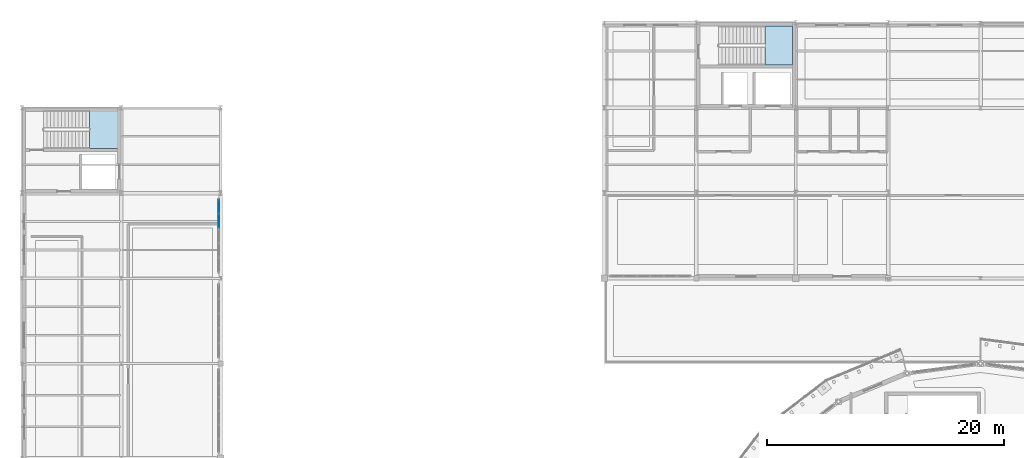
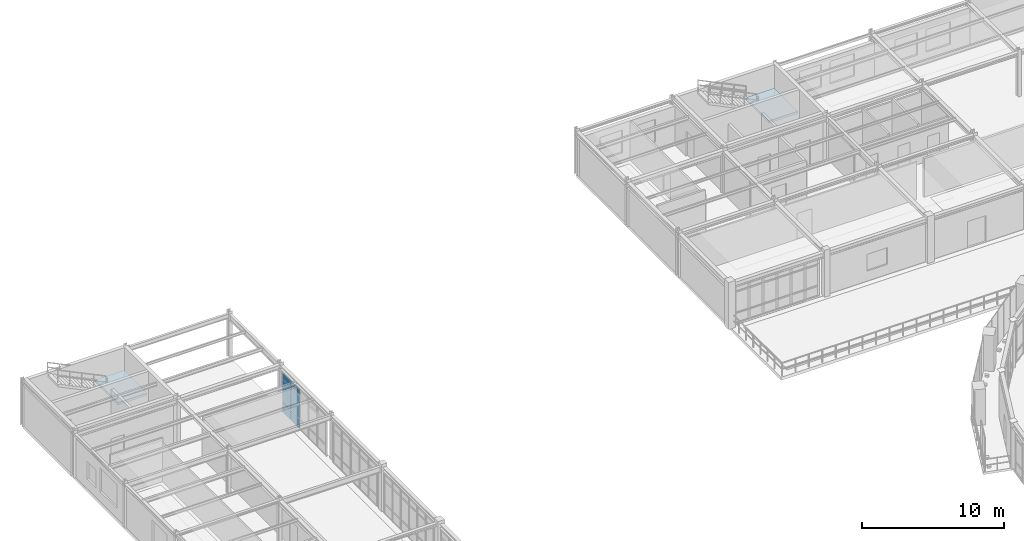
# One storey, part 40 of 58: 6 plates, 2 slabs, 3 elements without a shape of their own.
"""IFC4 building model written with IfcOpenShell, lengths in metres."""

import ifcopenshell
import ifcopenshell.guid

model = None  # the IFC model being written
_history = None  # IfcOwnerHistory: only IFC2X3 demands one
_inside = {}  # id of a spatial element -> (the spatial element, [elements in it])
_under = {}  # id of a project, library or spatial element -> (it, [spatial elements below it])
_declared = {}  # id of a project -> (the project, [libraries it declares])
_typed = {}  # id of a type object -> (the type object, [elements of that type])
_made_of = {}  # id of a material, layer set ... -> (it, [elements and type objects made of it])


def new_model(schema):
    """Start an empty IFC model of exactly this schema.

    Asked for "IFC4X3", IfcOpenShell would pick the latest addendum, in which some entities
    have other attributes; the version numbers below select the first issue.
    IFC2X3 requires an IfcOwnerHistory on every rooted entity: one is made here for all.
    """
    global model, _history
    if schema == "IFC4X3":
        model = ifcopenshell.file(schema_version=(4, 3, 0, 0))
    else:
        model = ifcopenshell.file(schema=schema)
    _inside.clear()
    _under.clear()
    _declared.clear()
    _typed.clear()
    _made_of.clear()
    _history = None
    if model.schema == "IFC2X3":
        org = make("IfcOrganization", Name="unknown")
        user = make(
            "IfcPersonAndOrganization",
            ThePerson=make("IfcPerson", FamilyName="unknown"),
            TheOrganization=org,
        )
        app = make(
            "IfcApplication",
            ApplicationDeveloper=org,
            Version="unknown",
            ApplicationFullName="unknown",
            ApplicationIdentifier="unknown",
        )
        _history = make(
            "IfcOwnerHistory",
            OwningUser=user,
            OwningApplication=app,
            ChangeAction="ADDED",
            CreationDate=0,
        )
    return model


def make(cls, **values):
    """One entity of the class cls with the attributes given. An attribute that is None is left unset."""
    return model.create_entity(
        cls, **{name: value for name, value in values.items() if value is not None}
    )


def rooted(cls, **values):
    """An entity with a GlobalId (a new one), such as an element, a storey or a relation."""
    return make(cls, GlobalId=ifcopenshell.guid.new(), OwnerHistory=_history, **values)


def si_unit(unit_type, name, prefix=None):
    """IfcSIUnit, for example si_unit("LENGTHUNIT", "METRE", prefix="MILLI")."""
    return make("IfcSIUnit", UnitType=unit_type, Prefix=prefix, Name=name)


def derived_unit(unit_type, elements):
    """IfcDerivedUnit: a product of units, each with its exponent."""
    return make(
        "IfcDerivedUnit",
        Elements=[
            make("IfcDerivedUnitElement", Unit=unit, Exponent=power)
            for unit, power in elements
        ],
        UnitType=unit_type,
    )


def assignment(units):
    """IfcUnitAssignment: the units of a project."""
    return None if units is None else make("IfcUnitAssignment", Units=units)


def point(xyz):
    """IfcCartesianPoint."""
    return None if xyz is None else make("IfcCartesianPoint", Coordinates=xyz)


def direction(xyz):
    """IfcDirection."""
    return None if xyz is None else make("IfcDirection", DirectionRatios=xyz)


def frame(location, z_axis=None, x_axis=None):
    """IfcAxis2Placement3D, a coordinate frame: its origin and axes. An axis left out is left unset."""
    return make(
        "IfcAxis2Placement3D",
        Location=point(location),
        Axis=direction(z_axis),
        RefDirection=direction(x_axis),
    )


def frame_2d(location, x_axis=None):
    """IfcAxis2Placement2D, a coordinate frame in the plane: its origin and x axis."""
    return make(
        "IfcAxis2Placement2D", Location=point(location), RefDirection=direction(x_axis)
    )


def origin():
    """The frame at (0, 0, 0) with its axes left unset."""
    return frame((0.0, 0.0, 0.0))


def origin_2d():
    """The frame at (0, 0) in the plane with its x axis left unset."""
    return frame_2d((0.0, 0.0))


def place(relative_to, where):
    """IfcLocalPlacement: puts the frame where relative to a parent placement (None: the world)."""
    return make(
        "IfcLocalPlacement", PlacementRelTo=relative_to, RelativePlacement=where
    )


def context(
    kind, dimensions, precision=None, world=None, true_north=None, identifier=None
):
    """IfcGeometricRepresentationContext, for example the 3D "Model" context."""
    return make(
        "IfcGeometricRepresentationContext",
        ContextIdentifier=identifier,
        ContextType=kind,
        CoordinateSpaceDimension=dimensions,
        Precision=precision,
        WorldCoordinateSystem=world,
        TrueNorth=true_north,
    )


def subcontext(parent, identifier, kind, view, scale=None):
    """IfcGeometricRepresentationSubContext, for example "Body" below "Model"."""
    return make(
        "IfcGeometricRepresentationSubContext",
        ContextIdentifier=identifier,
        ContextType=kind,
        ParentContext=parent,
        TargetScale=scale,
        TargetView=view,
    )


def project(units=None, contexts=None):
    """IfcProject with its units and contexts."""
    return rooted(
        "IfcProject",
        Name="project",
        RepresentationContexts=contexts,
        UnitsInContext=assignment(units),
    )


def spatial(cls, under=None, at=None, **own):
    """A site, building, storey or space (cls), placed at a placement, below another one or the project."""
    s = rooted(cls, ObjectPlacement=at, **own)
    if under is not None:
        _under.setdefault(under.id(), (under, []))[1].append(s)
    return s


def polyline(points):
    """IfcPolyline through the points."""
    return make("IfcPolyline", Points=[point(p) for p in points])


def profile(cls, at=None, kind="AREA", **sizes):
    """A parametric profile (cls). Its sizes go by their IFC names, for example OverallWidth=200.0."""
    return make(cls, ProfileType=kind, Position=at, **sizes)


def rectangle(**sizes):
    """IfcRectangleProfileDef."""
    return profile("IfcRectangleProfileDef", **sizes)


def outline(outer, holes=None, kind="AREA"):
    """IfcArbitraryClosedProfileDef: a profile drawn as a closed curve; with holes, ...WithVoids."""
    if holes is None:
        return make("IfcArbitraryClosedProfileDef", ProfileType=kind, OuterCurve=outer)
    return make(
        "IfcArbitraryProfileDefWithVoids",
        ProfileType=kind,
        OuterCurve=outer,
        InnerCurves=holes,
    )


def extrude(swept, where, along, depth):
    """IfcExtrudedAreaSolid: the profile swept, set in the frame where, extruded along a direction by depth."""
    return make(
        "IfcExtrudedAreaSolid",
        SweptArea=swept,
        Position=where,
        ExtrudedDirection=direction(along),
        Depth=depth,
    )


def shape(context_of_items, identifier, shape_type, items):
    """IfcShapeRepresentation: the items that make up one representation, for example the "Body"."""
    return make(
        "IfcShapeRepresentation",
        ContextOfItems=context_of_items,
        RepresentationIdentifier=identifier,
        RepresentationType=shape_type,
        Items=items,
    )


def material(Name=None, Category=None):
    """IfcMaterial."""
    return make("IfcMaterial", Name=Name, Category=Category)


def layer(
    of_material, thickness, ventilated=None, Name=None, Category=None, Priority=None
):
    """IfcMaterialLayer: one layer of a wall or slab, of a material (None: an air gap)."""
    return make(
        "IfcMaterialLayer",
        Material=of_material,
        LayerThickness=thickness,
        IsVentilated=ventilated,
        Name=Name,
        Category=Category,
        Priority=Priority,
    )


def layer_set(layers, Name=None):
    """IfcMaterialLayerSet."""
    return make("IfcMaterialLayerSet", MaterialLayers=layers, LayerSetName=Name)


def made_of(thing, what):
    """Note that an element or type object is made of a material, layer set ...; save() writes the relation."""
    if what is not None:
        _made_of.setdefault(what.id(), (what, []))[1].append(thing)
    return thing


def type_object(cls, material=None, **own):
    """A type object (cls), such as IfcWallType, which elements share."""
    return made_of(rooted(cls, **own), material)


def element(
    cls,
    number,
    at=None,
    inside=None,
    cuts=None,
    type_object=None,
    material=None,
    context=None,
    identifier="Body",
    shape_type=None,
    held_by="IfcProductDefinitionShape",
    body=None,
    shapes=None,
    **own,
):
    """One element of the class cls, such as IfcWall. Its Tag is "e" and its number.

    at: its placement. inside: the storey or other place that contains it. cuts: it is an
    opening in that element (IfcRelVoidsElement). A single representation is given by context,
    identifier, shape_type and body (its items); several are given by shapes. held_by: the class
    of the entity that holds the representations. save() writes the other relations.
    """
    e = rooted(cls, Tag="e%d" % number, ObjectPlacement=at, **own)
    if body is not None:
        shapes = [shape(context, identifier, shape_type, body)]
    if shapes is not None:
        e.Representation = make(held_by, Representations=shapes)
    if inside is not None:
        _inside.setdefault(inside.id(), (inside, []))[1].append(e)
    if cuts is not None:
        rooted(
            "IfcRelVoidsElement", RelatingBuildingElement=cuts, RelatedOpeningElement=e
        )
    if type_object is not None:
        _typed.setdefault(type_object.id(), (type_object, []))[1].append(e)
    return made_of(e, material)


def aggregate(whole, parts):
    """IfcRelAggregates: a whole, such as a stair, and the parts it consists of."""
    return rooted("IfcRelAggregates", RelatingObject=whole, RelatedObjects=parts)


def save(model, path):
    """Write the relations noted so far, then the file.

    IfcRelAggregates (storeys below a building ...), IfcRelContainedInSpatialStructure (elements
    in a storey), IfcRelDefinesByType, IfcRelAssociatesMaterial and IfcRelDeclares: one each for
    every whole, place, type object, material and project.
    """
    for whole, parts in _under.values():
        aggregate(whole, parts)
    for where, things in _inside.values():
        rooted(
            "IfcRelContainedInSpatialStructure",
            RelatedElements=things,
            RelatingStructure=where,
        )
    for kind, things in _typed.values():
        rooted("IfcRelDefinesByType", RelatedObjects=things, RelatingType=kind)
    for what, things in _made_of.values():
        rooted("IfcRelAssociatesMaterial", RelatedObjects=things, RelatingMaterial=what)
    for by, libraries in _declared.values():
        rooted("IfcRelDeclares", RelatingContext=by, RelatedDefinitions=libraries)
    model.write(path)


model = new_model("IFC4")

# Units and contexts
model_context = context("Model", 3, precision=1e-05, world=origin(), true_north=direction((0.0, 1.0)))
body_context = subcontext(model_context, "Body", "Model", "MODEL_VIEW")
ifc_project = project(units=[si_unit("LENGTHUNIT", "METRE"), si_unit("AREAUNIT", "SQUARE_METRE"), si_unit("VOLUMEUNIT", "CUBIC_METRE"), si_unit("PLANEANGLEUNIT", "RADIAN"), si_unit("MASSUNIT", "GRAM", prefix="KILO"), derived_unit("THERMALTRANSMITTANCEUNIT", [(si_unit("POWERUNIT", "WATT"), 1), (si_unit("AREAUNIT", "SQUARE_METRE"), -1), (si_unit("THERMODYNAMICTEMPERATUREUNIT", "KELVIN"), -1)])], contexts=[model_context])

# Site, building, storey
site_placement = place(None, origin())
site = spatial("IfcSite", under=ifc_project, at=site_placement, CompositionType="ELEMENT")
building_placement = place(site_placement, origin())
building = spatial("IfcBuilding", under=site, at=building_placement, Name="Yasenodar Specialist Clinic", CompositionType="ELEMENT")
storey_placement = place(building_placement, frame((0.0, 0.0, 17.25)))
storey = spatial("IfcBuildingStorey", under=building, at=storey_placement, Name="L04", CompositionType="ELEMENT", Elevation=17.25)

# Curtain wall, plates
ifc_material_1 = material(Name="Bronze Anodized Aluminium and Triple Low-E Glass", Category="aluminium")
ifc_layer_1 = layer(ifc_material_1, 0.202880859375)
ifc_layer_set_1 = layer_set([ifc_layer_1], Name="Bronze Anodized Aluminium and Triple Low-E Glass")
curtain_wall_type = type_object("IfcCurtainWallType", Name="CW-SYS-04", PredefinedType="USERDEFINED", material=ifc_layer_set_1)
curtain_wall_placement = place(storey_placement, origin())
curtain_wall = element("IfcCurtainWall", 1, at=curtain_wall_placement, inside=storey, type_object=curtain_wall_type, Name="L04 Unitised Curtain Wall 136", ObjectType="UNITISED CURTAIN WALL", PredefinedType="USERDEFINED")
ifc_material_2 = material(Name="Triple Low-E Argon Glazing", Category="glass")
ifc_layer_2 = layer(ifc_material_2, 0.028076171875)
ifc_layer_set_2 = layer_set([ifc_layer_2], Name="Triple Low-E Argon Glazing")
plate_type = type_object("IfcPlateType", Name="CW-PAN-1", PredefinedType="CURTAIN_PANEL", material=ifc_layer_set_2)
plate_1_placement = place(storey_placement, frame((16.64990234375, 96.0810546875, 0.06005859375), z_axis=(0.0, 0.0, 1.0), x_axis=(0.0, -1.0, 0.0)))
plate_1 = element("IfcPlate", 2, at=plate_1_placement, type_object=plate_type, Name="CW-04 panel 1.1", PredefinedType="CURTAIN_PANEL", context=body_context, shape_type="SweptSolid", body=[
    extrude(rectangle(XDim=1.157958984375, YDim=0.028076171875, at=origin_2d()), origin(), (0.0, 0.0, 1.0), 0.81005859375),
])
plate_2_placement = place(storey_placement, frame((16.64990234375, 96.0810546875, 0.929931640625), z_axis=(0.0, 0.0, 1.0), x_axis=(0.0, -1.0, 0.0)))
plate_2 = element("IfcPlate", 3, at=plate_2_placement, type_object=plate_type, Name="CW-04 panel 1.2", PredefinedType="CURTAIN_PANEL", context=body_context, shape_type="SweptSolid", body=[
    extrude(rectangle(XDim=1.157958984375, YDim=0.028076171875, at=origin_2d()), origin(), (0.0, 0.0, 1.0), 1.91796875),
])
plate_3_placement = place(storey_placement, frame((16.64990234375, 96.0810546875, 2.908203125), z_axis=(0.0, 0.0, 1.0), x_axis=(0.0, -1.0, 0.0)))
plate_3 = element("IfcPlate", 4, at=plate_3_placement, type_object=plate_type, Name="CW-04 panel 1.3", PredefinedType="CURTAIN_PANEL", context=body_context, shape_type="SweptSolid", body=[
    extrude(rectangle(XDim=1.157958984375, YDim=0.028076171875, at=origin_2d()), origin(), (0.0, 0.0, 1.0), 0.510009765625),
])
plate_4_placement = place(storey_placement, frame((16.64990234375, 94.847900390625, 0.06005859375), z_axis=(0.0, 0.0, 1.0), x_axis=(0.0, -1.0, 0.0)))
plate_4 = element("IfcPlate", 5, at=plate_4_placement, type_object=plate_type, Name="CW-04 panel 2.1", PredefinedType="CURTAIN_PANEL", context=body_context, shape_type="SweptSolid", body=[
    extrude(rectangle(XDim=1.18798828125, YDim=0.028076171875, at=origin_2d()), origin(), (0.0, 0.0, 1.0), 0.81005859375),
])
plate_5_placement = place(storey_placement, frame((16.64990234375, 94.847900390625, 0.929931640625), z_axis=(0.0, 0.0, 1.0), x_axis=(0.0, -1.0, 0.0)))
plate_5 = element("IfcPlate", 6, at=plate_5_placement, type_object=plate_type, Name="CW-04 panel 2.2", PredefinedType="CURTAIN_PANEL", context=body_context, shape_type="SweptSolid", body=[
    extrude(rectangle(XDim=1.18798828125, YDim=0.028076171875, at=origin_2d()), origin(), (0.0, 0.0, 1.0), 1.91796875),
])
plate_6_placement = place(storey_placement, frame((16.64990234375, 94.847900390625, 2.908203125), z_axis=(0.0, 0.0, 1.0), x_axis=(0.0, -1.0, 0.0)))
plate_6 = element("IfcPlate", 7, at=plate_6_placement, type_object=plate_type, Name="CW-04 panel 2.3", PredefinedType="CURTAIN_PANEL", context=body_context, shape_type="SweptSolid", body=[
    extrude(rectangle(XDim=1.18798828125, YDim=0.028076171875, at=origin_2d()), origin(), (0.0, 0.0, 1.0), 0.510009765625),
])
aggregate(curtain_wall, [plate_1, plate_2, plate_3, plate_4, plate_5, plate_6])

# Stair, slab
ifc_material_3 = material(Name="Concrete C30/37", Category="concrete")
stair_type_1 = type_object("IfcStairType", Name="ST-DOG-C2-28", PredefinedType="HALF_TURN_STAIR", material=ifc_material_3)
stair_1_placement = place(storey_placement, origin())
stair_1 = element("IfcStair", 8, at=stair_1_placement, inside=storey, type_object=stair_type_1, Name="L04 Core C2 Exit Stair ST-02", PredefinedType="HALF_TURN_STAIR")
ifc_layer_3 = layer(ifc_material_3, 0.199951171875)
ifc_layer_set_3 = layer_set([ifc_layer_3], Name="Concrete C30/37")
slab_type = type_object("IfcSlabType", Name="SLB-LND-200", PredefinedType="LANDING", material=ifc_layer_set_3)
slab_1_placement = place(storey_placement, frame((0.0, 0.0, 1.824951171875)))
slab_1 = element("IfcSlab", 9, at=slab_1_placement, type_object=slab_type, Name="ST-02 landing 1", PredefinedType="LANDING", context=body_context, shape_type="SweptSolid", body=[
    extrude(outline(polyline([(5.739990234375, 100.9599609375), (8.1201171875, 100.9599609375), (8.1201171875, 104.199951171875), (5.739990234375, 104.199951171875), (5.739990234375, 100.9599609375)])), origin(), (0.0, 0.0, 1.0), 0.199951171875),
])
aggregate(stair_1, [slab_1])

stair_type_2 = type_object("IfcStairType", Name="ST-DOG-C4-28", PredefinedType="HALF_TURN_STAIR", material=ifc_material_3)
stair_2_placement = place(storey_placement, origin())
stair_2 = element("IfcStair", 10, at=stair_2_placement, inside=storey, type_object=stair_type_2, Name="L04 Core C4 Exit Stair ST-04", PredefinedType="HALF_TURN_STAIR")
slab_2_placement = place(storey_placement, frame((0.0, 0.0, 1.824951171875)))
slab_2 = element("IfcSlab", 11, at=slab_2_placement, type_object=slab_type, Name="ST-04 landing 1", PredefinedType="LANDING", context=body_context, shape_type="SweptSolid", body=[
    extrude(outline(polyline([(62.77001953125, 108.010009765625), (65.1201171875, 108.010009765625), (65.1201171875, 111.31005859375), (62.77001953125, 111.31005859375), (62.77001953125, 108.010009765625)])), origin(), (0.0, 0.0, 1.0), 0.199951171875),
])
aggregate(stair_2, [slab_2])

save(model, "model.ifc")
